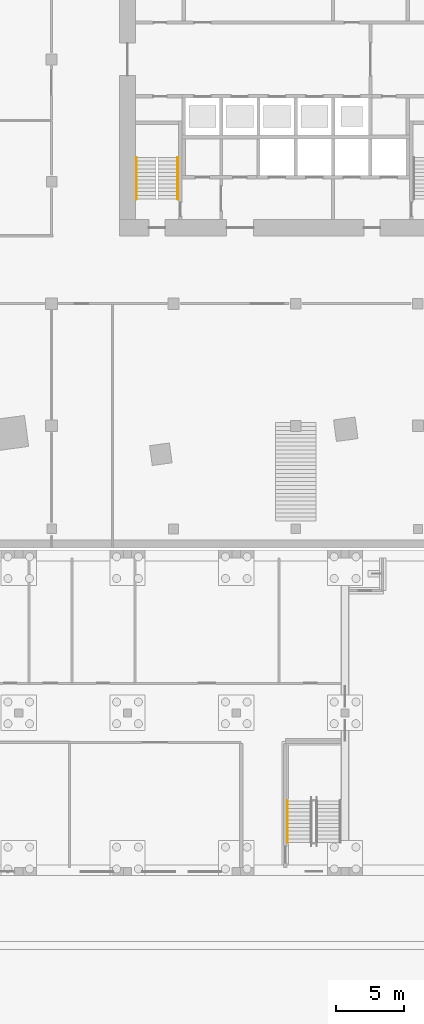
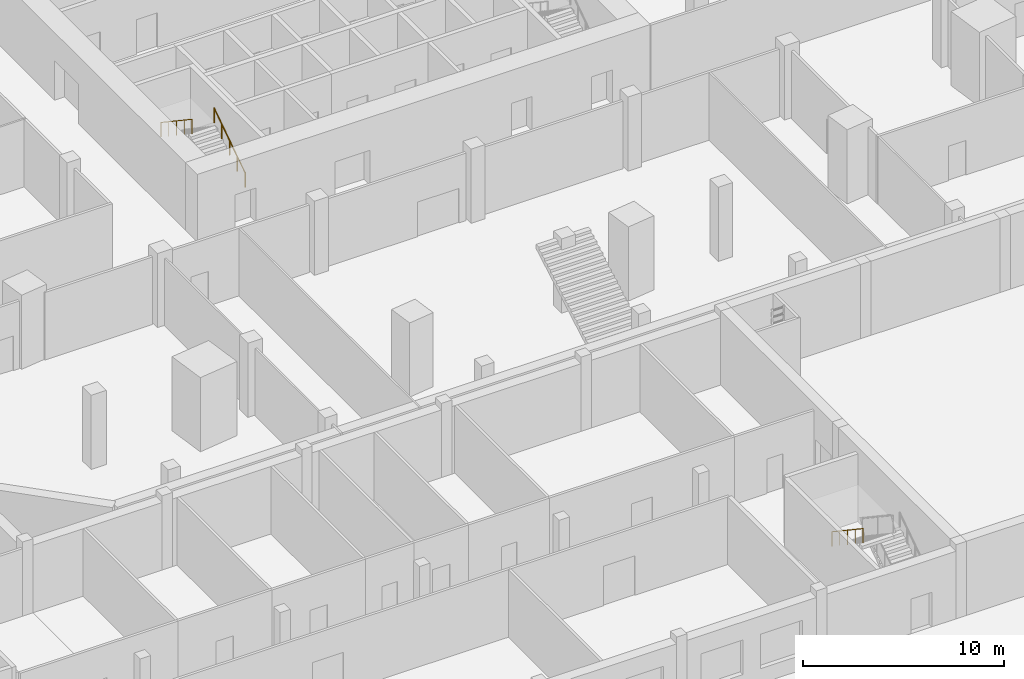
# One storey, part 36 of 42: 3 railings.
"""IFC4 building model written with IfcOpenShell, lengths in metres."""

import ifcopenshell
import ifcopenshell.guid

model = None  # the IFC model being written
_history = None  # IfcOwnerHistory: only IFC2X3 demands one
_inside = {}  # id of a spatial element -> (the spatial element, [elements in it])
_under = {}  # id of a project, library or spatial element -> (it, [spatial elements below it])
_declared = {}  # id of a project -> (the project, [libraries it declares])
_typed = {}  # id of a type object -> (the type object, [elements of that type])
_made_of = {}  # id of a material, layer set ... -> (it, [elements and type objects made of it])


def new_model(schema):
    """Start an empty IFC model of exactly this schema.

    Asked for "IFC4X3", IfcOpenShell would pick the latest addendum, in which some entities
    have other attributes; the version numbers below select the first issue.
    IFC2X3 requires an IfcOwnerHistory on every rooted entity: one is made here for all.
    """
    global model, _history
    if schema == "IFC4X3":
        model = ifcopenshell.file(schema_version=(4, 3, 0, 0))
    else:
        model = ifcopenshell.file(schema=schema)
    _inside.clear()
    _under.clear()
    _declared.clear()
    _typed.clear()
    _made_of.clear()
    _history = None
    if model.schema == "IFC2X3":
        org = make("IfcOrganization", Name="unknown")
        user = make(
            "IfcPersonAndOrganization",
            ThePerson=make("IfcPerson", FamilyName="unknown"),
            TheOrganization=org,
        )
        app = make(
            "IfcApplication",
            ApplicationDeveloper=org,
            Version="unknown",
            ApplicationFullName="unknown",
            ApplicationIdentifier="unknown",
        )
        _history = make(
            "IfcOwnerHistory",
            OwningUser=user,
            OwningApplication=app,
            ChangeAction="ADDED",
            CreationDate=0,
        )
    return model


def make(cls, **values):
    """One entity of the class cls with the attributes given. An attribute that is None is left unset."""
    return model.create_entity(
        cls, **{name: value for name, value in values.items() if value is not None}
    )


def rooted(cls, **values):
    """An entity with a GlobalId (a new one), such as an element, a storey or a relation."""
    return make(cls, GlobalId=ifcopenshell.guid.new(), OwnerHistory=_history, **values)


def si_unit(unit_type, name, prefix=None):
    """IfcSIUnit, for example si_unit("LENGTHUNIT", "METRE", prefix="MILLI")."""
    return make("IfcSIUnit", UnitType=unit_type, Prefix=prefix, Name=name)


def assignment(units):
    """IfcUnitAssignment: the units of a project."""
    return None if units is None else make("IfcUnitAssignment", Units=units)


def point(xyz):
    """IfcCartesianPoint."""
    return None if xyz is None else make("IfcCartesianPoint", Coordinates=xyz)


def direction(xyz):
    """IfcDirection."""
    return None if xyz is None else make("IfcDirection", DirectionRatios=xyz)


def frame(location, z_axis=None, x_axis=None):
    """IfcAxis2Placement3D, a coordinate frame: its origin and axes. An axis left out is left unset."""
    return make(
        "IfcAxis2Placement3D",
        Location=point(location),
        Axis=direction(z_axis),
        RefDirection=direction(x_axis),
    )


def frame_2d(location, x_axis=None):
    """IfcAxis2Placement2D, a coordinate frame in the plane: its origin and x axis."""
    return make(
        "IfcAxis2Placement2D", Location=point(location), RefDirection=direction(x_axis)
    )


def origin():
    """The frame at (0, 0, 0) with its axes left unset."""
    return frame((0.0, 0.0, 0.0))


def origin_2d():
    """The frame at (0, 0) in the plane with its x axis left unset."""
    return frame_2d((0.0, 0.0))


def place(relative_to, where):
    """IfcLocalPlacement: puts the frame where relative to a parent placement (None: the world)."""
    return make(
        "IfcLocalPlacement", PlacementRelTo=relative_to, RelativePlacement=where
    )


def context(
    kind, dimensions, precision=None, world=None, true_north=None, identifier=None
):
    """IfcGeometricRepresentationContext, for example the 3D "Model" context."""
    return make(
        "IfcGeometricRepresentationContext",
        ContextIdentifier=identifier,
        ContextType=kind,
        CoordinateSpaceDimension=dimensions,
        Precision=precision,
        WorldCoordinateSystem=world,
        TrueNorth=true_north,
    )


def subcontext(parent, identifier, kind, view, scale=None):
    """IfcGeometricRepresentationSubContext, for example "Body" below "Model"."""
    return make(
        "IfcGeometricRepresentationSubContext",
        ContextIdentifier=identifier,
        ContextType=kind,
        ParentContext=parent,
        TargetScale=scale,
        TargetView=view,
    )


def project(units=None, contexts=None):
    """IfcProject with its units and contexts."""
    return rooted(
        "IfcProject",
        Name="project",
        RepresentationContexts=contexts,
        UnitsInContext=assignment(units),
    )


def spatial(cls, under=None, at=None, **own):
    """A site, building, storey or space (cls), placed at a placement, below another one or the project."""
    s = rooted(cls, ObjectPlacement=at, **own)
    if under is not None:
        _under.setdefault(under.id(), (under, []))[1].append(s)
    return s


def profile(cls, at=None, kind="AREA", **sizes):
    """A parametric profile (cls). Its sizes go by their IFC names, for example OverallWidth=200.0."""
    return make(cls, ProfileType=kind, Position=at, **sizes)


def circle(**sizes):
    """IfcCircleProfileDef."""
    return profile("IfcCircleProfileDef", **sizes)


def extrude(swept, where, along, depth):
    """IfcExtrudedAreaSolid: the profile swept, set in the frame where, extruded along a direction by depth."""
    return make(
        "IfcExtrudedAreaSolid",
        SweptArea=swept,
        Position=where,
        ExtrudedDirection=direction(along),
        Depth=depth,
    )


def shape(context_of_items, identifier, shape_type, items):
    """IfcShapeRepresentation: the items that make up one representation, for example the "Body"."""
    return make(
        "IfcShapeRepresentation",
        ContextOfItems=context_of_items,
        RepresentationIdentifier=identifier,
        RepresentationType=shape_type,
        Items=items,
    )


def material(Name=None, Category=None):
    """IfcMaterial."""
    return make("IfcMaterial", Name=Name, Category=Category)


def made_of(thing, what):
    """Note that an element or type object is made of a material, layer set ...; save() writes the relation."""
    if what is not None:
        _made_of.setdefault(what.id(), (what, []))[1].append(thing)
    return thing


def type_object(cls, material=None, **own):
    """A type object (cls), such as IfcWallType, which elements share."""
    return made_of(rooted(cls, **own), material)


def element(
    cls,
    number,
    at=None,
    inside=None,
    cuts=None,
    type_object=None,
    material=None,
    context=None,
    identifier="Body",
    shape_type=None,
    held_by="IfcProductDefinitionShape",
    body=None,
    shapes=None,
    **own,
):
    """One element of the class cls, such as IfcWall. Its Tag is "e" and its number.

    at: its placement. inside: the storey or other place that contains it. cuts: it is an
    opening in that element (IfcRelVoidsElement). A single representation is given by context,
    identifier, shape_type and body (its items); several are given by shapes. held_by: the class
    of the entity that holds the representations. save() writes the other relations.
    """
    e = rooted(cls, Tag="e%d" % number, ObjectPlacement=at, **own)
    if body is not None:
        shapes = [shape(context, identifier, shape_type, body)]
    if shapes is not None:
        e.Representation = make(held_by, Representations=shapes)
    if inside is not None:
        _inside.setdefault(inside.id(), (inside, []))[1].append(e)
    if cuts is not None:
        rooted(
            "IfcRelVoidsElement", RelatingBuildingElement=cuts, RelatedOpeningElement=e
        )
    if type_object is not None:
        _typed.setdefault(type_object.id(), (type_object, []))[1].append(e)
    return made_of(e, material)


def aggregate(whole, parts):
    """IfcRelAggregates: a whole, such as a stair, and the parts it consists of."""
    return rooted("IfcRelAggregates", RelatingObject=whole, RelatedObjects=parts)


def save(model, path):
    """Write the relations noted so far, then the file.

    IfcRelAggregates (storeys below a building ...), IfcRelContainedInSpatialStructure (elements
    in a storey), IfcRelDefinesByType, IfcRelAssociatesMaterial and IfcRelDeclares: one each for
    every whole, place, type object, material and project.
    """
    for whole, parts in _under.values():
        aggregate(whole, parts)
    for where, things in _inside.values():
        rooted(
            "IfcRelContainedInSpatialStructure",
            RelatedElements=things,
            RelatingStructure=where,
        )
    for kind, things in _typed.values():
        rooted("IfcRelDefinesByType", RelatedObjects=things, RelatingType=kind)
    for what, things in _made_of.values():
        rooted("IfcRelAssociatesMaterial", RelatedObjects=things, RelatingMaterial=what)
    for by, libraries in _declared.values():
        rooted("IfcRelDeclares", RelatingContext=by, RelatedDefinitions=libraries)
    model.write(path)


model = new_model("IFC4")

# Units and contexts
model_context = context("Model", 3, precision=1e-05, world=origin(), true_north=direction((0.0, 1.0)))
body_context = subcontext(model_context, "Body", "Model", "MODEL_VIEW")
ifc_project = project(units=[si_unit("LENGTHUNIT", "METRE"), si_unit("AREAUNIT", "SQUARE_METRE"), si_unit("VOLUMEUNIT", "CUBIC_METRE"), si_unit("PLANEANGLEUNIT", "RADIAN"), si_unit("MASSUNIT", "GRAM", prefix="KILO")], contexts=[model_context])

# Site, building, storey
site_placement = place(None, origin())
site = spatial("IfcSite", under=ifc_project, at=site_placement, CompositionType="ELEMENT")
building_placement = place(site_placement, origin())
building = spatial("IfcBuilding", under=site, at=building_placement, Name="Dilmun Exchange Tower", CompositionType="ELEMENT")
storey_placement = place(building_placement, origin())
storey = spatial("IfcBuildingStorey", under=building, at=storey_placement, Name="L00", CompositionType="ELEMENT", Elevation=0.0)

# Railings
ifc_material_1 = material(Name="Steel S355", Category="steel")
railing_type_1 = type_object("IfcRailingType", Name="School stair handrail 900", PredefinedType="HANDRAIL", material=ifc_material_1)
railing_1_placement = place(storey_placement, frame((-0.596923828125, -54.6298828125, 2.4375)))
element("IfcRailing", 1, at=railing_1_placement, inside=storey, type_object=railing_type_1, Name="L00 SCH-S3 stair handrail 2", PredefinedType="HANDRAIL", context=body_context, shape_type="SweptSolid", body=[
    extrude(circle(Radius=0.02392578125, at=origin_2d()), frame((0.0, 0.0, 0.8759765625), z_axis=(0.0, -0.830913701846, 0.55640131208), x_axis=(1.0, 0.0, 0.0)), (0.0, 0.0, 1.0), 3.706787109375),
    extrude(circle(Radius=0.02099609375, at=origin_2d()), origin(), (0.0, 0.0, 1.0), 0.851806640625),
    extrude(circle(Radius=0.02099609375, at=origin_2d()), frame((0.0, -0.77001953125, 0.515625)), (0.0, 0.0, 1.0), 0.851806640625),
    extrude(circle(Radius=0.02099609375, at=origin_2d()), frame((0.0, -1.5400390625, 1.03125)), (0.0, 0.0, 1.0), 0.851806640625),
    extrude(circle(Radius=0.02099609375, at=origin_2d()), frame((0.0, -2.31005859375, 1.546875)), (0.0, 0.0, 1.0), 0.851806640625),
    extrude(circle(Radius=0.02099609375, at=origin_2d()), frame((0.0, -3.080078125, 2.0625)), (0.0, 0.0, 1.0), 0.851806640625),
])
ifc_material_2 = material(Name="Stainless steel", Category="steel")
railing_type_2 = type_object("IfcRailingType", Name="Stair handrail 900", PredefinedType="HANDRAIL", material=ifc_material_2)
railing_2_placement = place(storey_placement, frame((-8.699951171875, -10.300048828125, 0.1875)))
element("IfcRailing", 2, at=railing_2_placement, inside=storey, type_object=railing_type_2, Name="L00 ST2 stair handrail 1", PredefinedType="HANDRAIL", context=body_context, shape_type="SweptSolid", body=[
    extrude(circle(Radius=0.02392578125, at=origin_2d()), frame((0.0, 0.0, 0.8759765625), z_axis=(0.0, 0.830913701846, 0.55640131208), x_axis=(-1.0, 0.0, 0.0)), (0.0, 0.0, 1.0), 3.706787109375),
    extrude(circle(Radius=0.02099609375, at=origin_2d()), origin(), (0.0, 0.0, 1.0), 0.851806640625),
    extrude(circle(Radius=0.02099609375, at=origin_2d()), frame((0.0, 0.77001953125, 0.515625)), (0.0, 0.0, 1.0), 0.851806640625),
    extrude(circle(Radius=0.02099609375, at=origin_2d()), frame((0.0, 1.5400390625, 1.03125)), (0.0, 0.0, 1.0), 0.851806640625),
    extrude(circle(Radius=0.02099609375, at=origin_2d()), frame((0.0, 2.31005859375, 1.546875)), (0.0, 0.0, 1.0), 0.851806640625),
    extrude(circle(Radius=0.02099609375, at=origin_2d()), frame((0.0, 3.080078125, 2.0625)), (0.0, 0.0, 1.0), 0.851806640625),
])
railing_3_placement = place(storey_placement, frame((-11.75, -7.219970703125, 2.4375)))
element("IfcRailing", 3, at=railing_3_placement, inside=storey, type_object=railing_type_2, Name="L00 ST2 stair handrail 2", PredefinedType="HANDRAIL", context=body_context, shape_type="SweptSolid", body=[
    extrude(circle(Radius=0.02392578125, at=origin_2d()), frame((0.0, 0.0, 0.8759765625), z_axis=(0.0, -0.830913701846, 0.55640131208), x_axis=(1.0, 0.0, 0.0)), (0.0, 0.0, 1.0), 3.706787109375),
    extrude(circle(Radius=0.02099609375, at=origin_2d()), origin(), (0.0, 0.0, 1.0), 0.851806640625),
    extrude(circle(Radius=0.02099609375, at=origin_2d()), frame((0.0, -0.77001953125, 0.515625)), (0.0, 0.0, 1.0), 0.851806640625),
    extrude(circle(Radius=0.02099609375, at=origin_2d()), frame((0.0, -1.5400390625, 1.03125)), (0.0, 0.0, 1.0), 0.851806640625),
    extrude(circle(Radius=0.02099609375, at=origin_2d()), frame((0.0, -2.31005859375, 1.546875)), (0.0, 0.0, 1.0), 0.851806640625),
    extrude(circle(Radius=0.02099609375, at=origin_2d()), frame((0.0, -3.080078125, 2.0625)), (0.0, 0.0, 1.0), 0.851806640625),
])

save(model, "model.ifc")
